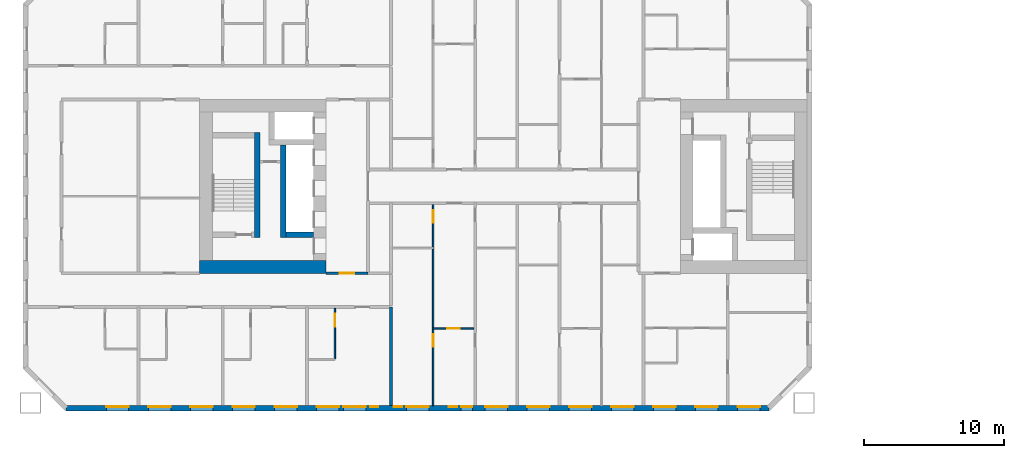
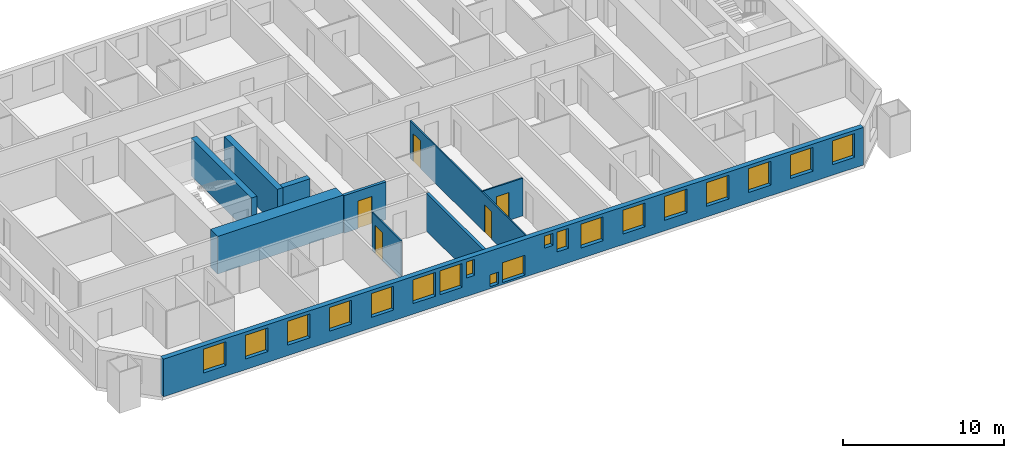
# One storey, part 3 of 16: 19 windows, 10 walls, 5 doors, 24 openings.
"""IFC4 building model written with IfcOpenShell, lengths in metres."""

from ifc_helpers import new_model, si_unit, direction, frame, frame_2d, origin, place, context, subcontext, project, spatial, rectangle, extrude, material, layer, layer_set, type_object, element, fill, save


model = new_model("IFC4")

# Units and contexts
model_context = context("Model", 3, precision=1e-05, world=origin(), true_north=direction((0.0, 1.0)))
body_context = subcontext(model_context, "Body", "Model", "MODEL_VIEW")
ifc_project = project(units=[si_unit("LENGTHUNIT", "METRE"), si_unit("AREAUNIT", "SQUARE_METRE"), si_unit("VOLUMEUNIT", "CUBIC_METRE"), si_unit("PLANEANGLEUNIT", "RADIAN"), si_unit("MASSUNIT", "GRAM", prefix="KILO")], contexts=[model_context])

# Site, building, storey
site_placement = place(None, origin())
site = spatial("IfcSite", under=ifc_project, at=site_placement, CompositionType="ELEMENT")
building_placement = place(site_placement, origin())
building = spatial("IfcBuilding", under=site, at=building_placement, Name="Tuart Gate Housing", CompositionType="ELEMENT")
storey_placement = place(building_placement, frame((0.0, 0.0, 35.0)))
storey = spatial("IfcBuildingStorey", under=building, at=storey_placement, Name="L09", CompositionType="ELEMENT", Elevation=35.0)

# Wall, openings, windows
ifc_material_1 = material(Name="Brick", Category="masonry")
ifc_layer_1 = layer(ifc_material_1, 0.360107421875)
ifc_layer_set_1 = layer_set([ifc_layer_1], Name="Brick pier and spandrel wall 360")
wall_type_1 = type_object("IfcWallType", Name="Brick pier and spandrel wall 360", PredefinedType="STANDARD", material=ifc_layer_set_1)
wall_1_placement = place(storey_placement, frame((22.82470703125, 54.179931640625, 0.0), z_axis=(0.0, 0.0, 1.0), x_axis=(1.0, 0.0, 0.0)))
wall_1 = element("IfcWall", 1, at=wall_1_placement, inside=storey, type_object=wall_type_1, Name="External wall A-S L09", PredefinedType="STANDARD", context=body_context, shape_type="SweptSolid", body=[
    extrude(rectangle(XDim=50.100830078125, YDim=0.360107421875, at=frame_2d((25.05029296875, 0.0))), origin(), (0.0, 0.0, 1.0), 2.85009765625),
])
opening_1_placement = place(wall_1_placement, frame((2.87548828125, 0.0, 0.800048828125)))
opening_1 = element("IfcOpeningElement", 2, at=opening_1_placement, cuts=wall_1, Name="Opening W1", PredefinedType="OPENING", context=body_context, shape_type="SweptSolid", body=[
    extrude(rectangle(XDim=1.60009765625, YDim=1.800048828125, at=frame_2d((0.800048828125, 0.89990234375))), frame((0.0, 0.18994140625, 0.0), z_axis=(0.0, -1.0, 0.0), x_axis=(1.0, 0.0, 0.0)), (0.0, 0.0, 1.0), 0.380126953125),
])
opening_2_placement = place(wall_1_placement, frame((5.87548828125, 0.0, 0.800048828125)))
opening_2 = element("IfcOpeningElement", 3, at=opening_2_placement, cuts=wall_1, Name="Opening W1", PredefinedType="OPENING", context=body_context, shape_type="SweptSolid", body=[
    extrude(rectangle(XDim=1.60009765625, YDim=1.800048828125, at=frame_2d((0.800048828125, 0.89990234375))), frame((0.0, 0.18994140625, 0.0), z_axis=(0.0, -1.0, 0.0), x_axis=(1.0, 0.0, 0.0)), (0.0, 0.0, 1.0), 0.380126953125),
])
opening_3_placement = place(wall_1_placement, frame((8.87548828125, 0.0, 0.800048828125)))
opening_3 = element("IfcOpeningElement", 4, at=opening_3_placement, cuts=wall_1, Name="Opening W1", PredefinedType="OPENING", context=body_context, shape_type="SweptSolid", body=[
    extrude(rectangle(XDim=1.60009765625, YDim=1.800048828125, at=frame_2d((0.800048828125, 0.89990234375))), frame((0.0, 0.18994140625, 0.0), z_axis=(0.0, -1.0, 0.0), x_axis=(1.0, 0.0, 0.0)), (0.0, 0.0, 1.0), 0.380126953125),
])
opening_4_placement = place(wall_1_placement, frame((11.87548828125, 0.0, 0.800048828125)))
opening_4 = element("IfcOpeningElement", 5, at=opening_4_placement, cuts=wall_1, Name="Opening W1", PredefinedType="OPENING", context=body_context, shape_type="SweptSolid", body=[
    extrude(rectangle(XDim=1.60009765625, YDim=1.800048828125, at=frame_2d((0.800048828125, 0.89990234375))), frame((0.0, 0.18994140625, 0.0), z_axis=(0.0, -1.0, 0.0), x_axis=(1.0, 0.0, 0.0)), (0.0, 0.0, 1.0), 0.380126953125),
])
opening_5_placement = place(wall_1_placement, frame((14.87548828125, 0.0, 0.800048828125)))
opening_5 = element("IfcOpeningElement", 6, at=opening_5_placement, cuts=wall_1, Name="Opening W1", PredefinedType="OPENING", context=body_context, shape_type="SweptSolid", body=[
    extrude(rectangle(XDim=1.60009765625, YDim=1.800048828125, at=frame_2d((0.800048828125, 0.89990234375))), frame((0.0, 0.18994140625, 0.0), z_axis=(0.0, -1.0, 0.0), x_axis=(1.0, 0.0, 0.0)), (0.0, 0.0, 1.0), 0.380126953125),
])
opening_6_placement = place(wall_1_placement, frame((17.87548828125, 0.0, 0.800048828125)))
opening_6 = element("IfcOpeningElement", 7, at=opening_6_placement, cuts=wall_1, Name="Opening W1", PredefinedType="OPENING", context=body_context, shape_type="SweptSolid", body=[
    extrude(rectangle(XDim=1.60009765625, YDim=1.800048828125, at=frame_2d((0.800048828125, 0.89990234375))), frame((0.0, 0.18994140625, 0.0), z_axis=(0.0, -1.0, 0.0), x_axis=(1.0, 0.0, 0.0)), (0.0, 0.0, 1.0), 0.380126953125),
])
opening_7_placement = place(wall_1_placement, frame((19.775390625, 0.0, 0.800048828125)))
opening_7 = element("IfcOpeningElement", 8, at=opening_7_placement, cuts=wall_1, Name="Opening W1", PredefinedType="OPENING", context=body_context, shape_type="SweptSolid", body=[
    extrude(rectangle(XDim=1.60009765625, YDim=1.800048828125, at=frame_2d((0.800048828125, 0.89990234375))), frame((0.0, 0.18994140625, 0.0), z_axis=(0.0, -1.0, 0.0), x_axis=(1.0, 0.0, 0.0)), (0.0, 0.0, 1.0), 0.380126953125),
])
opening_8_placement = place(wall_1_placement, frame((23.37548828125, 0.0, 0.14990234375)))
opening_8 = element("IfcOpeningElement", 9, at=opening_8_placement, cuts=wall_1, Name="Opening W1W", PredefinedType="OPENING", context=body_context, shape_type="SweptSolid", body=[
    extrude(rectangle(XDim=0.60009765625, YDim=0.89990234375, at=frame_2d((0.300048828125, 0.449951171875))), frame((0.0, 0.18994140625, 0.0), z_axis=(0.0, -1.0, 0.0), x_axis=(1.0, 0.0, 0.0)), (0.0, 0.0, 1.0), 0.380126953125),
])
opening_9_placement = place(wall_1_placement, frame((27.275390625, 0.0, 1.699951171875)))
opening_9 = element("IfcOpeningElement", 10, at=opening_9_placement, cuts=wall_1, Name="Opening W1W", PredefinedType="OPENING", context=body_context, shape_type="SweptSolid", body=[
    extrude(rectangle(XDim=0.60009765625, YDim=0.89990234375, at=frame_2d((0.300048828125, 0.449951171875))), frame((0.0, 0.18994140625, 0.0), z_axis=(0.0, -1.0, 0.0), x_axis=(1.0, 0.0, 0.0)), (0.0, 0.0, 1.0), 0.380126953125),
])
opening_10_placement = place(wall_1_placement, frame((29.87548828125, 0.0, 0.800048828125)))
opening_10 = element("IfcOpeningElement", 11, at=opening_10_placement, cuts=wall_1, Name="Opening W1", PredefinedType="OPENING", context=body_context, shape_type="SweptSolid", body=[
    extrude(rectangle(XDim=1.60009765625, YDim=1.800048828125, at=frame_2d((0.800048828125, 0.89990234375))), frame((0.0, 0.18994140625, 0.0), z_axis=(0.0, -1.0, 0.0), x_axis=(1.0, 0.0, 0.0)), (0.0, 0.0, 1.0), 0.380126953125),
])
opening_11_placement = place(wall_1_placement, frame((32.87548828125, 0.0, 0.800048828125)))
opening_11 = element("IfcOpeningElement", 12, at=opening_11_placement, cuts=wall_1, Name="Opening W1", PredefinedType="OPENING", context=body_context, shape_type="SweptSolid", body=[
    extrude(rectangle(XDim=1.60009765625, YDim=1.800048828125, at=frame_2d((0.800048828125, 0.89990234375))), frame((0.0, 0.18994140625, 0.0), z_axis=(0.0, -1.0, 0.0), x_axis=(1.0, 0.0, 0.0)), (0.0, 0.0, 1.0), 0.380126953125),
])
opening_12_placement = place(wall_1_placement, frame((35.87548828125, 0.0, 0.800048828125)))
opening_12 = element("IfcOpeningElement", 13, at=opening_12_placement, cuts=wall_1, Name="Opening W1", PredefinedType="OPENING", context=body_context, shape_type="SweptSolid", body=[
    extrude(rectangle(XDim=1.60009765625, YDim=1.800048828125, at=frame_2d((0.800048828125, 0.89990234375))), frame((0.0, 0.18994140625, 0.0), z_axis=(0.0, -1.0, 0.0), x_axis=(1.0, 0.0, 0.0)), (0.0, 0.0, 1.0), 0.380126953125),
])
opening_13_placement = place(wall_1_placement, frame((38.87548828125, 0.0, 0.800048828125)))
opening_13 = element("IfcOpeningElement", 14, at=opening_13_placement, cuts=wall_1, Name="Opening W1", PredefinedType="OPENING", context=body_context, shape_type="SweptSolid", body=[
    extrude(rectangle(XDim=1.60009765625, YDim=1.800048828125, at=frame_2d((0.800048828125, 0.89990234375))), frame((0.0, 0.18994140625, 0.0), z_axis=(0.0, -1.0, 0.0), x_axis=(1.0, 0.0, 0.0)), (0.0, 0.0, 1.0), 0.380126953125),
])
opening_14_placement = place(wall_1_placement, frame((41.87548828125, 0.0, 0.800048828125)))
opening_14 = element("IfcOpeningElement", 15, at=opening_14_placement, cuts=wall_1, Name="Opening W1", PredefinedType="OPENING", context=body_context, shape_type="SweptSolid", body=[
    extrude(rectangle(XDim=1.60009765625, YDim=1.800048828125, at=frame_2d((0.800048828125, 0.89990234375))), frame((0.0, 0.18994140625, 0.0), z_axis=(0.0, -1.0, 0.0), x_axis=(1.0, 0.0, 0.0)), (0.0, 0.0, 1.0), 0.380126953125),
])
opening_15_placement = place(wall_1_placement, frame((44.87548828125, 0.0, 0.800048828125)))
opening_15 = element("IfcOpeningElement", 16, at=opening_15_placement, cuts=wall_1, Name="Opening W1", PredefinedType="OPENING", context=body_context, shape_type="SweptSolid", body=[
    extrude(rectangle(XDim=1.60009765625, YDim=1.800048828125, at=frame_2d((0.800048828125, 0.89990234375))), frame((0.0, 0.18994140625, 0.0), z_axis=(0.0, -1.0, 0.0), x_axis=(1.0, 0.0, 0.0)), (0.0, 0.0, 1.0), 0.380126953125),
])
opening_16_placement = place(wall_1_placement, frame((47.87548828125, 0.0, 0.800048828125)))
opening_16 = element("IfcOpeningElement", 17, at=opening_16_placement, cuts=wall_1, Name="Opening W1", PredefinedType="OPENING", context=body_context, shape_type="SweptSolid", body=[
    extrude(rectangle(XDim=1.60009765625, YDim=1.800048828125, at=frame_2d((0.800048828125, 0.89990234375))), frame((0.0, 0.18994140625, 0.0), z_axis=(0.0, -1.0, 0.0), x_axis=(1.0, 0.0, 0.0)), (0.0, 0.0, 1.0), 0.380126953125),
])
opening_17_placement = place(wall_1_placement, frame((21.67529296875, 0.0, 1.39990234375)))
opening_17 = element("IfcOpeningElement", 18, at=opening_17_placement, cuts=wall_1, Name="Opening W1Q", PredefinedType="OPENING", context=body_context, shape_type="SweptSolid", body=[
    extrude(rectangle(XDim=0.60009765625, YDim=1.199951171875, at=frame_2d((0.300048828125, 0.60009765625))), frame((0.0, 0.18994140625, 0.0), z_axis=(0.0, -1.0, 0.0), x_axis=(1.0, 0.0, 0.0)), (0.0, 0.0, 1.0), 0.380126953125),
])
opening_18_placement = place(wall_1_placement, frame((24.275390625, 0.0, 0.14990234375)))
opening_18 = element("IfcOpeningElement", 19, at=opening_18_placement, cuts=wall_1, Name="Opening W1F", PredefinedType="OPENING", context=body_context, shape_type="SweptSolid", body=[
    extrude(rectangle(XDim=1.60009765625, YDim=1.5, at=frame_2d((0.800048828125, 0.75))), frame((0.0, 0.18994140625, 0.0), z_axis=(0.0, -1.0, 0.0), x_axis=(1.0, 0.0, 0.0)), (0.0, 0.0, 1.0), 0.380126953125),
])
opening_19_placement = place(wall_1_placement, frame((28.17529296875, 0.0, 1.10009765625)))
opening_19 = element("IfcOpeningElement", 20, at=opening_19_placement, cuts=wall_1, Name="Opening W1J", PredefinedType="OPENING", context=body_context, shape_type="SweptSolid", body=[
    extrude(rectangle(XDim=0.800048828125, YDim=1.5, at=frame_2d((0.39990234375, 0.75))), frame((0.0, 0.18994140625, 0.0), z_axis=(0.0, -1.0, 0.0), x_axis=(1.0, 0.0, 0.0)), (0.0, 0.0, 1.0), 0.380126953125),
])
ifc_material_2 = material(Name="Aluminium frame with clear glass", Category="aluminium")
window_type_1 = type_object("IfcWindowType", Name="Punched window 1600 x 1500", PartitioningType="SINGLE_PANEL", PredefinedType="WINDOW", material=ifc_material_2)
window_1_placement = place(opening_18_placement, origin())
window_1 = element("IfcWindow", 21, at=window_1_placement, inside=storey, type_object=window_type_1, Name="Window W1F", OverallHeight=1.5, OverallWidth=1.60009765625, PartitioningType="SINGLE_PANEL", PredefinedType="WINDOW", context=body_context, shape_type="SweptSolid", body=[
    extrude(rectangle(XDim=1.60009765625, YDim=1.5, at=frame_2d((0.800048828125, 0.75))), frame((0.0, 0.150146484375, 0.0), z_axis=(0.0, -1.0, 0.0), x_axis=(1.0, 0.0, 0.0)), (0.0, 0.0, 1.0), 0.06005859375),
])
fill(opening_18, window_1)
ifc_material_3 = material(Name="Aluminium frame with clear glass", Category="aluminium")
window_type_2 = type_object("IfcWindowType", Name="Punched window 1600 x 1800", PartitioningType="SINGLE_PANEL", PredefinedType="WINDOW", material=ifc_material_3)
window_2_placement = place(opening_1_placement, origin())
window_2 = element("IfcWindow", 22, at=window_2_placement, inside=storey, type_object=window_type_2, Name="Window W1", OverallHeight=1.800048828125, OverallWidth=1.60009765625, PartitioningType="SINGLE_PANEL", PredefinedType="WINDOW", context=body_context, shape_type="SweptSolid", body=[
    extrude(rectangle(XDim=1.60009765625, YDim=1.800048828125, at=frame_2d((0.800048828125, 0.89990234375))), frame((0.0, 0.150146484375, 0.0), z_axis=(0.0, -1.0, 0.0), x_axis=(1.0, 0.0, 0.0)), (0.0, 0.0, 1.0), 0.06005859375),
])
fill(opening_1, window_2)
window_3_placement = place(opening_2_placement, origin())
window_3 = element("IfcWindow", 23, at=window_3_placement, inside=storey, type_object=window_type_2, Name="Window W1", OverallHeight=1.800048828125, OverallWidth=1.60009765625, PartitioningType="SINGLE_PANEL", PredefinedType="WINDOW", context=body_context, shape_type="SweptSolid", body=[
    extrude(rectangle(XDim=1.60009765625, YDim=1.800048828125, at=frame_2d((0.800048828125, 0.89990234375))), frame((0.0, 0.150146484375, 0.0), z_axis=(0.0, -1.0, 0.0), x_axis=(1.0, 0.0, 0.0)), (0.0, 0.0, 1.0), 0.06005859375),
])
fill(opening_2, window_3)
window_4_placement = place(opening_3_placement, origin())
window_4 = element("IfcWindow", 24, at=window_4_placement, inside=storey, type_object=window_type_2, Name="Window W1", OverallHeight=1.800048828125, OverallWidth=1.60009765625, PartitioningType="SINGLE_PANEL", PredefinedType="WINDOW", context=body_context, shape_type="SweptSolid", body=[
    extrude(rectangle(XDim=1.60009765625, YDim=1.800048828125, at=frame_2d((0.800048828125, 0.89990234375))), frame((0.0, 0.150146484375, 0.0), z_axis=(0.0, -1.0, 0.0), x_axis=(1.0, 0.0, 0.0)), (0.0, 0.0, 1.0), 0.06005859375),
])
fill(opening_3, window_4)
window_5_placement = place(opening_4_placement, origin())
window_5 = element("IfcWindow", 25, at=window_5_placement, inside=storey, type_object=window_type_2, Name="Window W1", OverallHeight=1.800048828125, OverallWidth=1.60009765625, PartitioningType="SINGLE_PANEL", PredefinedType="WINDOW", context=body_context, shape_type="SweptSolid", body=[
    extrude(rectangle(XDim=1.60009765625, YDim=1.800048828125, at=frame_2d((0.800048828125, 0.89990234375))), frame((0.0, 0.150146484375, 0.0), z_axis=(0.0, -1.0, 0.0), x_axis=(1.0, 0.0, 0.0)), (0.0, 0.0, 1.0), 0.06005859375),
])
fill(opening_4, window_5)
window_6_placement = place(opening_5_placement, origin())
window_6 = element("IfcWindow", 26, at=window_6_placement, inside=storey, type_object=window_type_2, Name="Window W1", OverallHeight=1.800048828125, OverallWidth=1.60009765625, PartitioningType="SINGLE_PANEL", PredefinedType="WINDOW", context=body_context, shape_type="SweptSolid", body=[
    extrude(rectangle(XDim=1.60009765625, YDim=1.800048828125, at=frame_2d((0.800048828125, 0.89990234375))), frame((0.0, 0.150146484375, 0.0), z_axis=(0.0, -1.0, 0.0), x_axis=(1.0, 0.0, 0.0)), (0.0, 0.0, 1.0), 0.06005859375),
])
fill(opening_5, window_6)
window_7_placement = place(opening_6_placement, origin())
window_7 = element("IfcWindow", 27, at=window_7_placement, inside=storey, type_object=window_type_2, Name="Window W1", OverallHeight=1.800048828125, OverallWidth=1.60009765625, PartitioningType="SINGLE_PANEL", PredefinedType="WINDOW", context=body_context, shape_type="SweptSolid", body=[
    extrude(rectangle(XDim=1.60009765625, YDim=1.800048828125, at=frame_2d((0.800048828125, 0.89990234375))), frame((0.0, 0.150146484375, 0.0), z_axis=(0.0, -1.0, 0.0), x_axis=(1.0, 0.0, 0.0)), (0.0, 0.0, 1.0), 0.06005859375),
])
fill(opening_6, window_7)
window_8_placement = place(opening_7_placement, origin())
window_8 = element("IfcWindow", 28, at=window_8_placement, inside=storey, type_object=window_type_2, Name="Window W1", OverallHeight=1.800048828125, OverallWidth=1.60009765625, PartitioningType="SINGLE_PANEL", PredefinedType="WINDOW", context=body_context, shape_type="SweptSolid", body=[
    extrude(rectangle(XDim=1.60009765625, YDim=1.800048828125, at=frame_2d((0.800048828125, 0.89990234375))), frame((0.0, 0.150146484375, 0.0), z_axis=(0.0, -1.0, 0.0), x_axis=(1.0, 0.0, 0.0)), (0.0, 0.0, 1.0), 0.06005859375),
])
fill(opening_7, window_8)
window_9_placement = place(opening_10_placement, origin())
window_9 = element("IfcWindow", 29, at=window_9_placement, inside=storey, type_object=window_type_2, Name="Window W1", OverallHeight=1.800048828125, OverallWidth=1.60009765625, PartitioningType="SINGLE_PANEL", PredefinedType="WINDOW", context=body_context, shape_type="SweptSolid", body=[
    extrude(rectangle(XDim=1.60009765625, YDim=1.800048828125, at=frame_2d((0.800048828125, 0.89990234375))), frame((0.0, 0.150146484375, 0.0), z_axis=(0.0, -1.0, 0.0), x_axis=(1.0, 0.0, 0.0)), (0.0, 0.0, 1.0), 0.06005859375),
])
fill(opening_10, window_9)
window_10_placement = place(opening_11_placement, origin())
window_10 = element("IfcWindow", 30, at=window_10_placement, inside=storey, type_object=window_type_2, Name="Window W1", OverallHeight=1.800048828125, OverallWidth=1.60009765625, PartitioningType="SINGLE_PANEL", PredefinedType="WINDOW", context=body_context, shape_type="SweptSolid", body=[
    extrude(rectangle(XDim=1.60009765625, YDim=1.800048828125, at=frame_2d((0.800048828125, 0.89990234375))), frame((0.0, 0.150146484375, 0.0), z_axis=(0.0, -1.0, 0.0), x_axis=(1.0, 0.0, 0.0)), (0.0, 0.0, 1.0), 0.06005859375),
])
fill(opening_11, window_10)
window_11_placement = place(opening_12_placement, origin())
window_11 = element("IfcWindow", 31, at=window_11_placement, inside=storey, type_object=window_type_2, Name="Window W1", OverallHeight=1.800048828125, OverallWidth=1.60009765625, PartitioningType="SINGLE_PANEL", PredefinedType="WINDOW", context=body_context, shape_type="SweptSolid", body=[
    extrude(rectangle(XDim=1.60009765625, YDim=1.800048828125, at=frame_2d((0.800048828125, 0.89990234375))), frame((0.0, 0.150146484375, 0.0), z_axis=(0.0, -1.0, 0.0), x_axis=(1.0, 0.0, 0.0)), (0.0, 0.0, 1.0), 0.06005859375),
])
fill(opening_12, window_11)
window_12_placement = place(opening_13_placement, origin())
window_12 = element("IfcWindow", 32, at=window_12_placement, inside=storey, type_object=window_type_2, Name="Window W1", OverallHeight=1.800048828125, OverallWidth=1.60009765625, PartitioningType="SINGLE_PANEL", PredefinedType="WINDOW", context=body_context, shape_type="SweptSolid", body=[
    extrude(rectangle(XDim=1.60009765625, YDim=1.800048828125, at=frame_2d((0.800048828125, 0.89990234375))), frame((0.0, 0.150146484375, 0.0), z_axis=(0.0, -1.0, 0.0), x_axis=(1.0, 0.0, 0.0)), (0.0, 0.0, 1.0), 0.06005859375),
])
fill(opening_13, window_12)
window_13_placement = place(opening_14_placement, origin())
window_13 = element("IfcWindow", 33, at=window_13_placement, inside=storey, type_object=window_type_2, Name="Window W1", OverallHeight=1.800048828125, OverallWidth=1.60009765625, PartitioningType="SINGLE_PANEL", PredefinedType="WINDOW", context=body_context, shape_type="SweptSolid", body=[
    extrude(rectangle(XDim=1.60009765625, YDim=1.800048828125, at=frame_2d((0.800048828125, 0.89990234375))), frame((0.0, 0.150146484375, 0.0), z_axis=(0.0, -1.0, 0.0), x_axis=(1.0, 0.0, 0.0)), (0.0, 0.0, 1.0), 0.06005859375),
])
fill(opening_14, window_13)
window_14_placement = place(opening_15_placement, origin())
window_14 = element("IfcWindow", 34, at=window_14_placement, inside=storey, type_object=window_type_2, Name="Window W1", OverallHeight=1.800048828125, OverallWidth=1.60009765625, PartitioningType="SINGLE_PANEL", PredefinedType="WINDOW", context=body_context, shape_type="SweptSolid", body=[
    extrude(rectangle(XDim=1.60009765625, YDim=1.800048828125, at=frame_2d((0.800048828125, 0.89990234375))), frame((0.0, 0.150146484375, 0.0), z_axis=(0.0, -1.0, 0.0), x_axis=(1.0, 0.0, 0.0)), (0.0, 0.0, 1.0), 0.06005859375),
])
fill(opening_15, window_14)
window_15_placement = place(opening_16_placement, origin())
window_15 = element("IfcWindow", 35, at=window_15_placement, inside=storey, type_object=window_type_2, Name="Window W1", OverallHeight=1.800048828125, OverallWidth=1.60009765625, PartitioningType="SINGLE_PANEL", PredefinedType="WINDOW", context=body_context, shape_type="SweptSolid", body=[
    extrude(rectangle(XDim=1.60009765625, YDim=1.800048828125, at=frame_2d((0.800048828125, 0.89990234375))), frame((0.0, 0.150146484375, 0.0), z_axis=(0.0, -1.0, 0.0), x_axis=(1.0, 0.0, 0.0)), (0.0, 0.0, 1.0), 0.06005859375),
])
fill(opening_16, window_15)
ifc_material_4 = material(Name="Aluminium frame with clear glass", Category="aluminium")
window_type_3 = type_object("IfcWindowType", Name="Punched window 600 x 1200", PartitioningType="SINGLE_PANEL", PredefinedType="WINDOW", material=ifc_material_4)
window_16_placement = place(opening_17_placement, origin())
window_16 = element("IfcWindow", 36, at=window_16_placement, inside=storey, type_object=window_type_3, Name="Window W1Q", OverallHeight=1.199951171875, OverallWidth=0.60009765625, PartitioningType="SINGLE_PANEL", PredefinedType="WINDOW", context=body_context, shape_type="SweptSolid", body=[
    extrude(rectangle(XDim=0.60009765625, YDim=1.199951171875, at=frame_2d((0.300048828125, 0.60009765625))), frame((0.0, 0.150146484375, 0.0), z_axis=(0.0, -1.0, 0.0), x_axis=(1.0, 0.0, 0.0)), (0.0, 0.0, 1.0), 0.06005859375),
])
fill(opening_17, window_16)
ifc_material_5 = material(Name="Aluminium frame with clear glass", Category="aluminium")
window_type_4 = type_object("IfcWindowType", Name="Punched window 600 x 900", PartitioningType="SINGLE_PANEL", PredefinedType="WINDOW", material=ifc_material_5)
window_17_placement = place(opening_8_placement, origin())
window_17 = element("IfcWindow", 37, at=window_17_placement, inside=storey, type_object=window_type_4, Name="Window W1W", OverallHeight=0.89990234375, OverallWidth=0.60009765625, PartitioningType="SINGLE_PANEL", PredefinedType="WINDOW", context=body_context, shape_type="SweptSolid", body=[
    extrude(rectangle(XDim=0.60009765625, YDim=0.89990234375, at=frame_2d((0.300048828125, 0.449951171875))), frame((0.0, 0.150146484375, 0.0), z_axis=(0.0, -1.0, 0.0), x_axis=(1.0, 0.0, 0.0)), (0.0, 0.0, 1.0), 0.06005859375),
])
fill(opening_8, window_17)
window_18_placement = place(opening_9_placement, origin())
window_18 = element("IfcWindow", 38, at=window_18_placement, inside=storey, type_object=window_type_4, Name="Window W1W", OverallHeight=0.89990234375, OverallWidth=0.60009765625, PartitioningType="SINGLE_PANEL", PredefinedType="WINDOW", context=body_context, shape_type="SweptSolid", body=[
    extrude(rectangle(XDim=0.60009765625, YDim=0.89990234375, at=frame_2d((0.300048828125, 0.449951171875))), frame((0.0, 0.150146484375, 0.0), z_axis=(0.0, -1.0, 0.0), x_axis=(1.0, 0.0, 0.0)), (0.0, 0.0, 1.0), 0.06005859375),
])
fill(opening_9, window_18)
ifc_material_6 = material(Name="Aluminium frame with clear glass", Category="aluminium")
window_type_5 = type_object("IfcWindowType", Name="Punched window 800 x 1500", PartitioningType="SINGLE_PANEL", PredefinedType="WINDOW", material=ifc_material_6)
window_19_placement = place(opening_19_placement, origin())
window_19 = element("IfcWindow", 39, at=window_19_placement, inside=storey, type_object=window_type_5, Name="Window W1J", OverallHeight=1.5, OverallWidth=0.800048828125, PartitioningType="SINGLE_PANEL", PredefinedType="WINDOW", context=body_context, shape_type="SweptSolid", body=[
    extrude(rectangle(XDim=0.800048828125, YDim=1.5, at=frame_2d((0.39990234375, 0.75))), frame((0.0, 0.150146484375, 0.0), z_axis=(0.0, -1.0, 0.0), x_axis=(1.0, 0.0, 0.0)), (0.0, 0.0, 1.0), 0.06005859375),
])
fill(opening_19, window_19)

# Walls
ifc_material_7 = material(Name="Concrete C60", Category="concrete")
ifc_layer_2 = layer(ifc_material_7, 0.39990234375)
ifc_layer_set_2 = layer_set([ifc_layer_2], Name="Core wall 400 C60")
wall_type_2 = type_object("IfcWallType", Name="Core wall 400 C60", PredefinedType="SHEAR", material=ifc_layer_set_2)
wall_2_placement = place(storey_placement, frame((40.4599609375, 66.550048828125, 0.0), z_axis=(0.0, 0.0, 1.0), x_axis=(-1.0, 0.0, 0.0)))
element("IfcWall", 40, at=wall_2_placement, inside=storey, type_object=wall_type_2, Name="Core wall AK.4", PredefinedType="SHEAR", context=body_context, shape_type="SweptSolid", body=[
    extrude(rectangle(XDim=1.949951171875, YDim=0.39990234375, at=frame_2d((0.97509765625, 0.0))), origin(), (0.0, 0.0, 1.0), 2.85009765625),
])
wall_3_placement = place(storey_placement, frame((38.31005859375, 72.949951171875, 0.0), z_axis=(0.0, 0.0, 1.0), x_axis=(0.0, -1.0, 0.0)))
element("IfcWall", 41, at=wall_3_placement, inside=storey, type_object=wall_type_2, Name="Core wall AK.6", PredefinedType="SHEAR", context=body_context, shape_type="SweptSolid", body=[
    extrude(rectangle(XDim=6.599853515625, YDim=0.39990234375, at=frame_2d((3.2998046875, 0.0))), origin(), (0.0, 0.0, 1.0), 2.85009765625),
])
wall_4_placement = place(storey_placement, frame((36.4599609375, 73.85009765625, 0.0), z_axis=(0.0, 0.0, 1.0), x_axis=(0.0, -1.0, 0.0)))
element("IfcWall", 42, at=wall_4_placement, inside=storey, type_object=wall_type_2, Name="Core wall AK.8", PredefinedType="SHEAR", context=body_context, shape_type="SweptSolid", body=[
    extrude(rectangle(XDim=7.5, YDim=0.39990234375, at=frame_2d((3.75, 0.0))), origin(), (0.0, 0.0, 1.0), 2.85009765625),
])
ifc_material_8 = material(Name="Concrete C60", Category="concrete")
ifc_layer_3 = layer(ifc_material_8, 0.89990234375)
ifc_layer_set_3 = layer_set([ifc_layer_3], Name="Core wall 900 C60")
wall_type_3 = type_object("IfcWallType", Name="Core wall 900 C60", PredefinedType="SHEAR", material=ifc_layer_set_3)
wall_5_placement = place(storey_placement, frame((41.360107421875, 64.25, 0.0), z_axis=(0.0, 0.0, 1.0), x_axis=(-1.0, 0.0, 0.0)))
element("IfcWall", 43, at=wall_5_placement, inside=storey, type_object=wall_type_3, Name="Core wall AK north", PredefinedType="SHEAR", context=body_context, shape_type="SweptSolid", body=[
    extrude(rectangle(XDim=9.0, YDim=0.89990234375, at=frame_2d((4.5, 0.0))), origin(), (0.0, 0.0, 1.0), 2.85009765625),
])

# Wall, opening, door
ifc_material_9 = material(Name="Concrete masonry 15 MPa", Category="masonry")
ifc_layer_4 = layer(ifc_material_9, 0.199951171875)
ifc_layer_set_4 = layer_set([ifc_layer_4], Name="Enclosure wall masonry 200")
wall_type_4 = type_object("IfcWallType", Name="Enclosure wall masonry 200", PredefinedType="PARTITIONING", material=ifc_layer_set_4)
wall_6_placement = place(storey_placement, frame((41.360107421875, 63.800048828125, 0.0), z_axis=(0.0, 0.0, 1.0), x_axis=(1.0, 0.0, 0.0)))
wall_6 = element("IfcWall", 44, at=wall_6_placement, inside=storey, type_object=wall_type_4, Name="Enclosure wall masonry 200", PredefinedType="PARTITIONING", context=body_context, shape_type="SweptSolid", body=[
    extrude(rectangle(XDim=3.0, YDim=0.199951171875, at=frame_2d((1.5, 0.0))), origin(), (0.0, 0.0, 1.0), 2.85009765625),
])
opening_20_placement = place(wall_6_placement, frame((1.0, 0.0, 0.0)))
opening_20 = element("IfcOpeningElement", 45, at=opening_20_placement, cuts=wall_6, Name="Opening D508", PredefinedType="OPENING", context=body_context, shape_type="SweptSolid", body=[
    extrude(rectangle(XDim=1.0, YDim=2.10009765625, at=frame_2d((0.5, 1.050048828125))), frame((0.0, 0.10986328125, 0.0), z_axis=(0.0, -1.0, 0.0), x_axis=(1.0, 0.0, 0.0)), (0.0, 0.0, 1.0), 0.219970703125),
])
ifc_material_10 = material(Name="Timber door leaf in steel frame", Category="steel")
door_type_1 = type_object("IfcDoorType", Name="Fire door 1000", OperationType="SINGLE_SWING_LEFT", PredefinedType="DOOR", material=ifc_material_10)
door_1_placement = place(opening_20_placement, frame((1.0, 0.0, 0.0), z_axis=(0.0, 0.0, 1.0), x_axis=(-1.0, 0.0, 0.0)))
door_1 = element("IfcDoor", 46, at=door_1_placement, inside=storey, type_object=door_type_1, Name="Fire door", OperationType="SINGLE_SWING_LEFT", OverallHeight=2.10009765625, OverallWidth=1.0, PredefinedType="DOOR", context=body_context, shape_type="SweptSolid", body=[
    extrude(rectangle(XDim=1.0, YDim=2.10009765625, at=frame_2d((0.5, 1.050048828125))), frame((0.0, 0.025146484375, 0.0), z_axis=(0.0, -1.0, 0.0), x_axis=(1.0, 0.0, 0.0)), (0.0, 0.0, 1.0), 0.050048828125),
])
fill(opening_20, door_1)

ifc_material_11 = material(Name="Gypsum board on steel studs", Category="steel")
ifc_layer_5 = layer(ifc_material_11, 0.10009765625)
ifc_layer_set_5 = layer_set([ifc_layer_5], Name="Partition 100")
wall_type_5 = type_object("IfcWallType", Name="Partition 100", PredefinedType="PARTITIONING", material=ifc_layer_set_5)
wall_7_placement = place(storey_placement, frame((49.0, 59.860107421875, 0.0), z_axis=(0.0, 0.0, 1.0), x_axis=(1.0, 0.0, 0.0)))
wall_7 = element("IfcWall", 47, at=wall_7_placement, inside=storey, type_object=wall_type_5, Name="Partition 100", PredefinedType="PARTITIONING", context=body_context, shape_type="SweptSolid", body=[
    extrude(rectangle(XDim=2.89990234375, YDim=0.10009765625, at=frame_2d((1.449951171875, 0.0))), origin(), (0.0, 0.0, 1.0), 2.85009765625),
])
opening_21_placement = place(wall_7_placement, frame((1.0, 0.0, 0.0)))
opening_21 = element("IfcOpeningElement", 48, at=opening_21_placement, cuts=wall_7, Name="Opening D525", PredefinedType="OPENING", context=body_context, shape_type="SweptSolid", body=[
    extrude(rectangle(XDim=0.89990234375, YDim=2.10009765625, at=frame_2d((0.449951171875, 1.050048828125))), frame((0.0, 0.06005859375, 0.0), z_axis=(0.0, -1.0, 0.0), x_axis=(1.0, 0.0, 0.0)), (0.0, 0.0, 1.0), 0.1201171875),
])
ifc_material_12 = material(Name="Timber door leaf in steel frame", Category="steel")
door_type_2 = type_object("IfcDoorType", Name="Internal door 900", OperationType="SINGLE_SWING_LEFT", PredefinedType="DOOR", material=ifc_material_12)
door_2_placement = place(opening_21_placement, origin())
door_2 = element("IfcDoor", 49, at=door_2_placement, inside=storey, type_object=door_type_2, Name="Internal door", OperationType="SINGLE_SWING_LEFT", OverallHeight=2.10009765625, OverallWidth=0.89990234375, PredefinedType="DOOR", context=body_context, shape_type="SweptSolid", body=[
    extrude(rectangle(XDim=0.89990234375, YDim=2.10009765625, at=frame_2d((0.449951171875, 1.050048828125))), frame((0.0, 0.02490234375, 0.0), z_axis=(0.0, -1.0, 0.0), x_axis=(1.0, 0.0, 0.0)), (0.0, 0.0, 1.0), 0.050048828125),
])
fill(opening_21, door_2)

wall_8_placement = place(storey_placement, frame((42.0, 57.699951171875, 0.0), z_axis=(0.0, 0.0, 1.0), x_axis=(0.0, 1.0, 0.0)))
wall_8 = element("IfcWall", 50, at=wall_8_placement, inside=storey, type_object=wall_type_5, Name="Partition 100", PredefinedType="PARTITIONING", context=body_context, shape_type="SweptSolid", body=[
    extrude(rectangle(XDim=3.60009765625, YDim=0.10009765625, at=frame_2d((1.800048828125, 0.0))), origin(), (0.0, 0.0, 1.0), 2.85009765625),
])
opening_22_placement = place(wall_8_placement, frame((2.300048828125, 0.0, 0.0)))
opening_22 = element("IfcOpeningElement", 51, at=opening_22_placement, cuts=wall_8, Name="Opening D529", PredefinedType="OPENING", context=body_context, shape_type="SweptSolid", body=[
    extrude(rectangle(XDim=0.89990234375, YDim=2.10009765625, at=frame_2d((0.449951171875, 1.050048828125))), frame((0.0, 0.06005859375, 0.0), z_axis=(0.0, -1.0, 0.0), x_axis=(1.0, 0.0, 0.0)), (0.0, 0.0, 1.0), 0.1201171875),
])
ifc_material_13 = material(Name="Timber door leaf in steel frame", Category="steel")
door_type_3 = type_object("IfcDoorType", Name="Bathroom door 900 RH", OperationType="SINGLE_SWING_RIGHT", PredefinedType="DOOR", material=ifc_material_13)
door_3_placement = place(opening_22_placement, origin())
door_3 = element("IfcDoor", 52, at=door_3_placement, inside=storey, type_object=door_type_3, Name="Bathroom door", OperationType="SINGLE_SWING_RIGHT", OverallHeight=2.10009765625, OverallWidth=0.89990234375, PredefinedType="DOOR", context=body_context, shape_type="SweptSolid", body=[
    extrude(rectangle(XDim=0.89990234375, YDim=2.10009765625, at=frame_2d((0.449951171875, 1.050048828125))), frame((0.0, 0.02490234375, 0.0), z_axis=(0.0, -1.0, 0.0), x_axis=(1.0, 0.0, 0.0)), (0.0, 0.0, 1.0), 0.050048828125),
])
fill(opening_22, door_3)

# Wall, openings, doors
wall_9_placement = place(storey_placement, frame((49.0, 54.360107421875, 0.0), z_axis=(0.0, 0.0, 1.0), x_axis=(0.0, 1.0, 0.0)))
wall_9 = element("IfcWall", 53, at=wall_9_placement, inside=storey, type_object=wall_type_5, Name="Partition 100", PredefinedType="PARTITIONING", context=body_context, shape_type="SweptSolid", body=[
    extrude(rectangle(XDim=14.33984375, YDim=0.10009765625, at=frame_2d((7.169921875, 0.0))), origin(), (0.0, 0.0, 1.0), 2.85009765625),
])
opening_23_placement = place(wall_9_placement, frame((4.199951171875, 0.0, 0.0)))
opening_23 = element("IfcOpeningElement", 54, at=opening_23_placement, cuts=wall_9, Name="Opening D515", PredefinedType="OPENING", context=body_context, shape_type="SweptSolid", body=[
    extrude(rectangle(XDim=0.89990234375, YDim=2.10009765625, at=frame_2d((0.449951171875, 1.050048828125))), frame((0.0, 0.06005859375, 0.0), z_axis=(0.0, -1.0, 0.0), x_axis=(1.0, 0.0, 0.0)), (0.0, 0.0, 1.0), 0.1201171875),
])
opening_24_placement = place(wall_9_placement, frame((13.0400390625, 0.0, 0.0)))
opening_24 = element("IfcOpeningElement", 55, at=opening_24_placement, cuts=wall_9, Name="Opening D514", PredefinedType="OPENING", context=body_context, shape_type="SweptSolid", body=[
    extrude(rectangle(XDim=0.89990234375, YDim=2.10009765625, at=frame_2d((0.449951171875, 1.050048828125))), frame((0.0, 0.06005859375, 0.0), z_axis=(0.0, -1.0, 0.0), x_axis=(1.0, 0.0, 0.0)), (0.0, 0.0, 1.0), 0.1201171875),
])
door_4_placement = place(opening_24_placement, origin())
door_4 = element("IfcDoor", 56, at=door_4_placement, inside=storey, type_object=door_type_3, Name="Bathroom door", OperationType="SINGLE_SWING_RIGHT", OverallHeight=2.10009765625, OverallWidth=0.89990234375, PredefinedType="DOOR", context=body_context, shape_type="SweptSolid", body=[
    extrude(rectangle(XDim=0.89990234375, YDim=2.10009765625, at=frame_2d((0.449951171875, 1.050048828125))), frame((0.0, 0.02490234375, 0.0), z_axis=(0.0, -1.0, 0.0), x_axis=(1.0, 0.0, 0.0)), (0.0, 0.0, 1.0), 0.050048828125),
])
fill(opening_24, door_4)
door_5_placement = place(opening_23_placement, origin())
door_5 = element("IfcDoor", 57, at=door_5_placement, inside=storey, type_object=door_type_2, Name="Internal door", OperationType="SINGLE_SWING_LEFT", OverallHeight=2.10009765625, OverallWidth=0.89990234375, PredefinedType="DOOR", context=body_context, shape_type="SweptSolid", body=[
    extrude(rectangle(XDim=0.89990234375, YDim=2.10009765625, at=frame_2d((0.449951171875, 1.050048828125))), frame((0.0, 0.02490234375, 0.0), z_axis=(0.0, -1.0, 0.0), x_axis=(1.0, 0.0, 0.0)), (0.0, 0.0, 1.0), 0.050048828125),
])
fill(opening_23, door_5)

# Wall
ifc_material_14 = material(Name="Concrete C40", Category="concrete")
ifc_layer_6 = layer(ifc_material_14, 0.199951171875)
ifc_layer_set_6 = layer_set([ifc_layer_6], Name="Party wall concrete C40 200")
wall_type_6 = type_object("IfcWallType", Name="Party wall concrete C40 200", PredefinedType="SOLIDWALL", material=ifc_layer_set_6)
wall_10_placement = place(storey_placement, frame((46.0, 54.360107421875, 0.0), z_axis=(0.0, 0.0, 1.0), x_axis=(0.0, 1.0, 0.0)))
element("IfcWall", 58, at=wall_10_placement, inside=storey, type_object=wall_type_6, Name="Party wall concrete C40 200", PredefinedType="SOLIDWALL", context=body_context, shape_type="SweptSolid", body=[
    extrude(rectangle(XDim=7.039794921875, YDim=0.199951171875, at=frame_2d((3.52001953125, 0.0))), origin(), (0.0, 0.0, 1.0), 2.85009765625),
])

save(model, "model.ifc")
